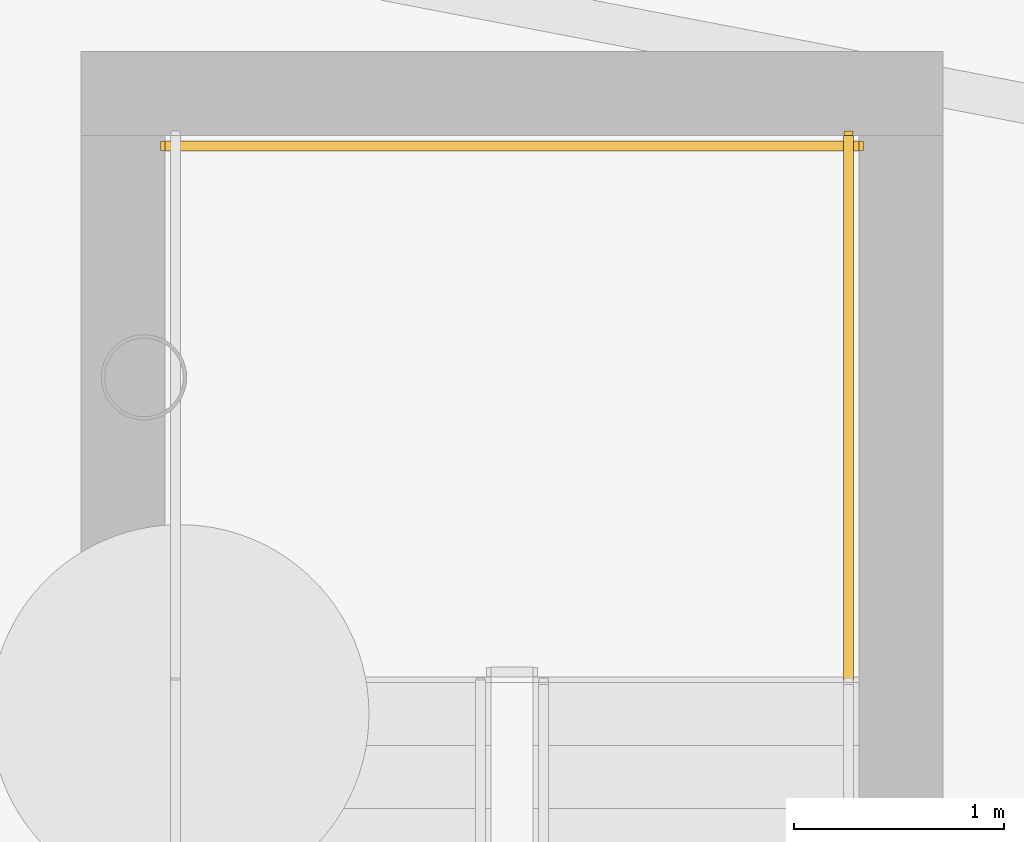
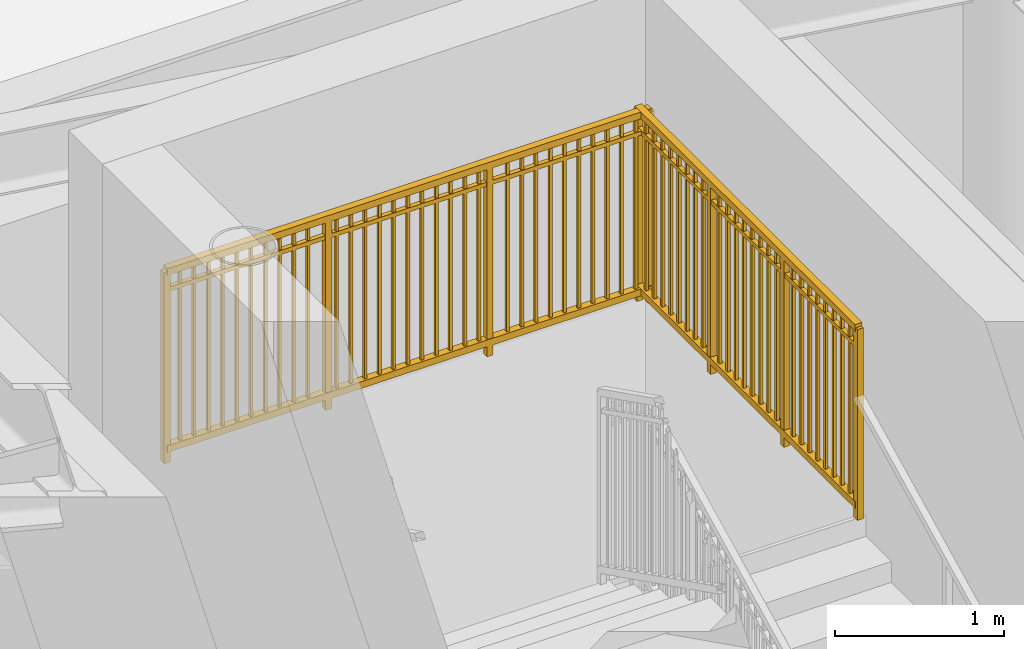
# One storey, part 17 of 18: 2 railings.
"""IFC4 building model written with IfcOpenShell, lengths in metres."""

from ifc_helpers import new_model, si_unit, direction, frame, origin, origin_2d, place, context, subcontext, project, spatial, rectangle, extrude, source, transform, mapped, material, type_object, element, save


model = new_model("IFC4")

# Units and contexts
model_context = context("Model", 3, precision=1e-05, world=origin(), true_north=direction((0.0, 1.0)))
body_context = subcontext(model_context, "Body", "Model", "MODEL_VIEW")
ifc_project = project(units=[si_unit("LENGTHUNIT", "METRE"), si_unit("AREAUNIT", "SQUARE_METRE"), si_unit("VOLUMEUNIT", "CUBIC_METRE"), si_unit("PLANEANGLEUNIT", "RADIAN"), si_unit("MASSUNIT", "GRAM", prefix="KILO")], contexts=[model_context])

# Site, building, storey
site_placement = place(None, origin())
site = spatial("IfcSite", under=ifc_project, at=site_placement, CompositionType="ELEMENT")
building_placement = place(site_placement, origin())
building = spatial("IfcBuilding", under=site, at=building_placement, Name="Linh Dai School and Residence Tower", CompositionType="ELEMENT")
storey_placement = place(building_placement, frame((0.0, 0.0, -9.0)))
storey = spatial("IfcBuildingStorey", under=building, at=storey_placement, Name="B02", CompositionType="ELEMENT", Elevation=-9.0)

# Railings
ifc_material = material(Name="Structural Steel S355JR", Category="steel")
railing_type = type_object("IfcRailingType", Name="RL-ST-GUARD-1400", PredefinedType="GUARDRAIL", material=ifc_material)
shared_shape_1 = source(origin(), body_context, "Body", "SweptSolid", [
    extrude(rectangle(XDim=0.048095703125, YDim=0.048095703125, at=origin_2d()), frame((0.0, 0.0, 1.3759765625), z_axis=(0.0, 1.0, 0.0), x_axis=(-1.0, 0.0, 0.0)), (0.0, 0.0, 1.0), 2.60009765625),
    extrude(rectangle(XDim=0.048095703125, YDim=0.048095703125, at=origin_2d()), frame((0.0, 0.0, 0.10009765625), z_axis=(0.0, 1.0, 0.0), x_axis=(-1.0, 0.0, 0.0)), (0.0, 0.0, 1.0), 2.60009765625),
    extrude(rectangle(XDim=0.030029296875, YDim=0.030029296875, at=origin_2d()), frame((0.0, 0.0, 1.239990234375), z_axis=(0.0, 1.0, 0.0), x_axis=(-1.0, 0.0, 0.0)), (0.0, 0.0, 1.0), 2.60009765625),
    extrude(rectangle(XDim=0.02001953125, YDim=0.02001953125, at=origin_2d()), frame((0.0, 0.09619140625, 0.10009765625)), (0.0, 0.0, 1.0), 1.251708984375),
    extrude(rectangle(XDim=0.02001953125, YDim=0.02001953125, at=origin_2d()), frame((0.0, 0.192626953125, 0.10009765625)), (0.0, 0.0, 1.0), 1.251708984375),
    extrude(rectangle(XDim=0.02001953125, YDim=0.02001953125, at=origin_2d()), frame((0.0, 0.288818359375, 0.10009765625)), (0.0, 0.0, 1.0), 1.251708984375),
    extrude(rectangle(XDim=0.02001953125, YDim=0.02001953125, at=origin_2d()), frame((0.0, 0.38525390625, 0.10009765625)), (0.0, 0.0, 1.0), 1.251708984375),
    extrude(rectangle(XDim=0.02001953125, YDim=0.02001953125, at=origin_2d()), frame((0.0, 0.4814453125, 0.10009765625)), (0.0, 0.0, 1.0), 1.251708984375),
    extrude(rectangle(XDim=0.02001953125, YDim=0.02001953125, at=origin_2d()), frame((0.0, 0.577880859375, 0.10009765625)), (0.0, 0.0, 1.0), 1.251708984375),
    extrude(rectangle(XDim=0.02001953125, YDim=0.02001953125, at=origin_2d()), frame((0.0, 0.674072265625, 0.10009765625)), (0.0, 0.0, 1.0), 1.251708984375),
    extrude(rectangle(XDim=0.02001953125, YDim=0.02001953125, at=origin_2d()), frame((0.0, 0.7705078125, 0.10009765625)), (0.0, 0.0, 1.0), 1.251708984375),
    extrude(rectangle(XDim=0.02001953125, YDim=0.02001953125, at=origin_2d()), frame((0.0, 0.962890625, 0.10009765625)), (0.0, 0.0, 1.0), 1.251708984375),
    extrude(rectangle(XDim=0.02001953125, YDim=0.02001953125, at=origin_2d()), frame((0.0, 1.059326171875, 0.10009765625)), (0.0, 0.0, 1.0), 1.251708984375),
    extrude(rectangle(XDim=0.02001953125, YDim=0.02001953125, at=origin_2d()), frame((0.0, 1.155517578125, 0.10009765625)), (0.0, 0.0, 1.0), 1.251708984375),
    extrude(rectangle(XDim=0.02001953125, YDim=0.02001953125, at=origin_2d()), frame((0.0, 1.251953125, 0.10009765625)), (0.0, 0.0, 1.0), 1.251708984375),
    extrude(rectangle(XDim=0.02001953125, YDim=0.02001953125, at=origin_2d()), frame((0.0, 1.34814453125, 0.10009765625)), (0.0, 0.0, 1.0), 1.251708984375),
    extrude(rectangle(XDim=0.02001953125, YDim=0.02001953125, at=origin_2d()), frame((0.0, 1.444580078125, 0.10009765625)), (0.0, 0.0, 1.0), 1.251708984375),
    extrude(rectangle(XDim=0.02001953125, YDim=0.02001953125, at=origin_2d()), frame((0.0, 1.540771484375, 0.10009765625)), (0.0, 0.0, 1.0), 1.251708984375),
    extrude(rectangle(XDim=0.02001953125, YDim=0.02001953125, at=origin_2d()), frame((0.0, 1.63720703125, 0.10009765625)), (0.0, 0.0, 1.0), 1.251708984375),
    extrude(rectangle(XDim=0.02001953125, YDim=0.02001953125, at=origin_2d()), frame((0.0, 1.82958984375, 0.10009765625)), (0.0, 0.0, 1.0), 1.251708984375),
    extrude(rectangle(XDim=0.02001953125, YDim=0.02001953125, at=origin_2d()), frame((0.0, 1.926025390625, 0.10009765625)), (0.0, 0.0, 1.0), 1.251708984375),
    extrude(rectangle(XDim=0.02001953125, YDim=0.02001953125, at=origin_2d()), frame((0.0, 2.022216796875, 0.10009765625)), (0.0, 0.0, 1.0), 1.251708984375),
    extrude(rectangle(XDim=0.02001953125, YDim=0.02001953125, at=origin_2d()), frame((0.0, 2.11865234375, 0.10009765625)), (0.0, 0.0, 1.0), 1.251708984375),
    extrude(rectangle(XDim=0.02001953125, YDim=0.02001953125, at=origin_2d()), frame((0.0, 2.21484375, 0.10009765625)), (0.0, 0.0, 1.0), 1.251708984375),
    extrude(rectangle(XDim=0.02001953125, YDim=0.02001953125, at=origin_2d()), frame((0.0, 2.311279296875, 0.10009765625)), (0.0, 0.0, 1.0), 1.251708984375),
    extrude(rectangle(XDim=0.02001953125, YDim=0.02001953125, at=origin_2d()), frame((0.0, 2.407470703125, 0.10009765625)), (0.0, 0.0, 1.0), 1.251708984375),
    extrude(rectangle(XDim=0.02001953125, YDim=0.02001953125, at=origin_2d()), frame((0.0, 2.50390625, 0.10009765625)), (0.0, 0.0, 1.0), 1.251708984375),
    extrude(rectangle(XDim=0.0419921875, YDim=0.0419921875, at=origin_2d()), origin(), (0.0, 0.0, 1.0), 1.3759765625),
    extrude(rectangle(XDim=0.0419921875, YDim=0.0419921875, at=origin_2d()), frame((0.0, 0.86669921875, 0.0)), (0.0, 0.0, 1.0), 1.3759765625),
    extrude(rectangle(XDim=0.0419921875, YDim=0.0419921875, at=origin_2d()), frame((0.0, 1.7333984375, 0.0)), (0.0, 0.0, 1.0), 1.3759765625),
    extrude(rectangle(XDim=0.0419921875, YDim=0.0419921875, at=origin_2d()), frame((0.0, 2.60009765625, 0.0)), (0.0, 0.0, 1.0), 1.3759765625),
])
railing_1_placement = place(storey_placement, frame((30.929931640625, 29.89990234375, 2.25)))
element("IfcRailing", 1, at=railing_1_placement, inside=storey, type_object=railing_type, Name="B02 ST1 stair guard 3", PredefinedType="GUARDRAIL", context=body_context, shape_type="MappedRepresentation", body=[
    mapped(shared_shape_1, transform((0.0, 0.0, 0.0), x_axis=(1.0, 0.0, 0.0), y_axis=(0.0, 1.0, 0.0), z_axis=(0.0, 0.0, 1.0), scale=1.0)),
])
shared_shape_2 = source(origin(), body_context, "Body", "SweptSolid", [
    extrude(rectangle(XDim=0.048095703125, YDim=0.048095703125, at=origin_2d()), frame((0.0, 0.0, 1.3759765625), z_axis=(-1.0, 0.0, 0.0), x_axis=(0.0, -1.0, 0.0)), (0.0, 0.0, 1.0), 3.300048828125),
    extrude(rectangle(XDim=0.048095703125, YDim=0.048095703125, at=origin_2d()), frame((0.0, 0.0, 0.10009765625), z_axis=(-1.0, 0.0, 0.0), x_axis=(0.0, -1.0, 0.0)), (0.0, 0.0, 1.0), 3.300048828125),
    extrude(rectangle(XDim=0.030029296875, YDim=0.030029296875, at=origin_2d()), frame((0.0, 0.0, 1.239990234375), z_axis=(-1.0, 0.0, 0.0), x_axis=(0.0, -1.0, 0.0)), (0.0, 0.0, 1.0), 3.300048828125),
    extrude(rectangle(XDim=0.02001953125, YDim=0.02001953125, at=origin_2d()), frame((-0.09716796875, 0.0, 0.10009765625)), (0.0, 0.0, 1.0), 1.251708984375),
    extrude(rectangle(XDim=0.02001953125, YDim=0.02001953125, at=origin_2d()), frame((-0.194091796875, 0.0, 0.10009765625)), (0.0, 0.0, 1.0), 1.251708984375),
    extrude(rectangle(XDim=0.02001953125, YDim=0.02001953125, at=origin_2d()), frame((-0.291259765625, 0.0, 0.10009765625)), (0.0, 0.0, 1.0), 1.251708984375),
    extrude(rectangle(XDim=0.02001953125, YDim=0.02001953125, at=origin_2d()), frame((-0.38818359375, 0.0, 0.10009765625)), (0.0, 0.0, 1.0), 1.251708984375),
    extrude(rectangle(XDim=0.02001953125, YDim=0.02001953125, at=origin_2d()), frame((-0.4853515625, 0.0, 0.10009765625)), (0.0, 0.0, 1.0), 1.251708984375),
    extrude(rectangle(XDim=0.02001953125, YDim=0.02001953125, at=origin_2d()), frame((-0.582275390625, 0.0, 0.10009765625)), (0.0, 0.0, 1.0), 1.251708984375),
    extrude(rectangle(XDim=0.02001953125, YDim=0.02001953125, at=origin_2d()), frame((-0.679443359375, 0.0, 0.10009765625)), (0.0, 0.0, 1.0), 1.251708984375),
    extrude(rectangle(XDim=0.02001953125, YDim=0.02001953125, at=origin_2d()), frame((-0.7763671875, 0.0, 0.10009765625)), (0.0, 0.0, 1.0), 1.251708984375),
    extrude(rectangle(XDim=0.02001953125, YDim=0.02001953125, at=origin_2d()), frame((-0.87353515625, 0.0, 0.10009765625)), (0.0, 0.0, 1.0), 1.251708984375),
    extrude(rectangle(XDim=0.02001953125, YDim=0.02001953125, at=origin_2d()), frame((-0.970703125, 0.0, 0.10009765625)), (0.0, 0.0, 1.0), 1.251708984375),
    extrude(rectangle(XDim=0.02001953125, YDim=0.02001953125, at=origin_2d()), frame((-1.164794921875, 0.0, 0.10009765625)), (0.0, 0.0, 1.0), 1.251708984375),
    extrude(rectangle(XDim=0.02001953125, YDim=0.02001953125, at=origin_2d()), frame((-1.26171875, 0.0, 0.10009765625)), (0.0, 0.0, 1.0), 1.251708984375),
    extrude(rectangle(XDim=0.02001953125, YDim=0.02001953125, at=origin_2d()), frame((-1.35888671875, 0.0, 0.10009765625)), (0.0, 0.0, 1.0), 1.251708984375),
    extrude(rectangle(XDim=0.02001953125, YDim=0.02001953125, at=origin_2d()), frame((-1.455810546875, 0.0, 0.10009765625)), (0.0, 0.0, 1.0), 1.251708984375),
    extrude(rectangle(XDim=0.02001953125, YDim=0.02001953125, at=origin_2d()), frame((-1.552978515625, 0.0, 0.10009765625)), (0.0, 0.0, 1.0), 1.251708984375),
    extrude(rectangle(XDim=0.02001953125, YDim=0.02001953125, at=origin_2d()), frame((-1.64990234375, 0.0, 0.10009765625)), (0.0, 0.0, 1.0), 1.251708984375),
    extrude(rectangle(XDim=0.02001953125, YDim=0.02001953125, at=origin_2d()), frame((-1.7470703125, 0.0, 0.10009765625)), (0.0, 0.0, 1.0), 1.251708984375),
    extrude(rectangle(XDim=0.02001953125, YDim=0.02001953125, at=origin_2d()), frame((-1.84423828125, 0.0, 0.10009765625)), (0.0, 0.0, 1.0), 1.251708984375),
    extrude(rectangle(XDim=0.02001953125, YDim=0.02001953125, at=origin_2d()), frame((-1.941162109375, 0.0, 0.10009765625)), (0.0, 0.0, 1.0), 1.251708984375),
    extrude(rectangle(XDim=0.02001953125, YDim=0.02001953125, at=origin_2d()), frame((-2.038330078125, 0.0, 0.10009765625)), (0.0, 0.0, 1.0), 1.251708984375),
    extrude(rectangle(XDim=0.02001953125, YDim=0.02001953125, at=origin_2d()), frame((-2.13525390625, 0.0, 0.10009765625)), (0.0, 0.0, 1.0), 1.251708984375),
    extrude(rectangle(XDim=0.02001953125, YDim=0.02001953125, at=origin_2d()), frame((-2.329345703125, 0.0, 0.10009765625)), (0.0, 0.0, 1.0), 1.251708984375),
    extrude(rectangle(XDim=0.02001953125, YDim=0.02001953125, at=origin_2d()), frame((-2.426513671875, 0.0, 0.10009765625)), (0.0, 0.0, 1.0), 1.251708984375),
    extrude(rectangle(XDim=0.02001953125, YDim=0.02001953125, at=origin_2d()), frame((-2.523681640625, 0.0, 0.10009765625)), (0.0, 0.0, 1.0), 1.251708984375),
    extrude(rectangle(XDim=0.02001953125, YDim=0.02001953125, at=origin_2d()), frame((-2.62060546875, 0.0, 0.10009765625)), (0.0, 0.0, 1.0), 1.251708984375),
    extrude(rectangle(XDim=0.02001953125, YDim=0.02001953125, at=origin_2d()), frame((-2.7177734375, 0.0, 0.10009765625)), (0.0, 0.0, 1.0), 1.251708984375),
    extrude(rectangle(XDim=0.02001953125, YDim=0.02001953125, at=origin_2d()), frame((-2.814697265625, 0.0, 0.10009765625)), (0.0, 0.0, 1.0), 1.251708984375),
    extrude(rectangle(XDim=0.02001953125, YDim=0.02001953125, at=origin_2d()), frame((-2.911865234375, 0.0, 0.10009765625)), (0.0, 0.0, 1.0), 1.251708984375),
    extrude(rectangle(XDim=0.02001953125, YDim=0.02001953125, at=origin_2d()), frame((-3.0087890625, 0.0, 0.10009765625)), (0.0, 0.0, 1.0), 1.251708984375),
    extrude(rectangle(XDim=0.02001953125, YDim=0.02001953125, at=origin_2d()), frame((-3.10595703125, 0.0, 0.10009765625)), (0.0, 0.0, 1.0), 1.251708984375),
    extrude(rectangle(XDim=0.02001953125, YDim=0.02001953125, at=origin_2d()), frame((-3.202880859375, 0.0, 0.10009765625)), (0.0, 0.0, 1.0), 1.251708984375),
    extrude(rectangle(XDim=0.0419921875, YDim=0.0419921875, at=origin_2d()), origin(), (0.0, 0.0, 1.0), 1.3759765625),
    extrude(rectangle(XDim=0.0419921875, YDim=0.0419921875, at=origin_2d()), frame((-1.10009765625, 0.0, 0.0)), (0.0, 0.0, 1.0), 1.3759765625),
    extrude(rectangle(XDim=0.0419921875, YDim=0.0419921875, at=origin_2d()), frame((-2.199951171875, 0.0, 0.0)), (0.0, 0.0, 1.0), 1.3759765625),
    extrude(rectangle(XDim=0.0419921875, YDim=0.0419921875, at=origin_2d()), frame((-3.300048828125, 0.0, 0.0)), (0.0, 0.0, 1.0), 1.3759765625),
])
railing_2_placement = place(storey_placement, frame((30.97998046875, 32.449951171875, 2.25)))
element("IfcRailing", 2, at=railing_2_placement, inside=storey, type_object=railing_type, Name="B02 ST1 stair guard 5", PredefinedType="GUARDRAIL", context=body_context, shape_type="MappedRepresentation", body=[
    mapped(shared_shape_2, transform((0.0, 0.0, 0.0), x_axis=(1.0, 0.0, 0.0), y_axis=(0.0, 1.0, 0.0), z_axis=(0.0, 0.0, 1.0), scale=1.0)),
])

save(model, "model.ifc")
